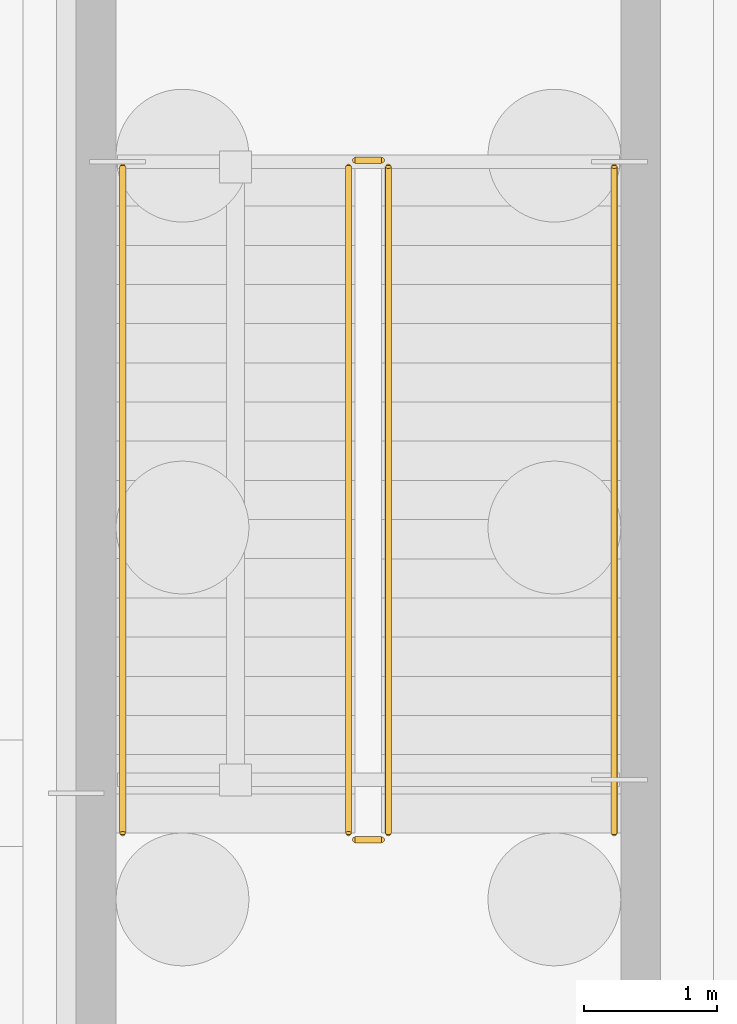
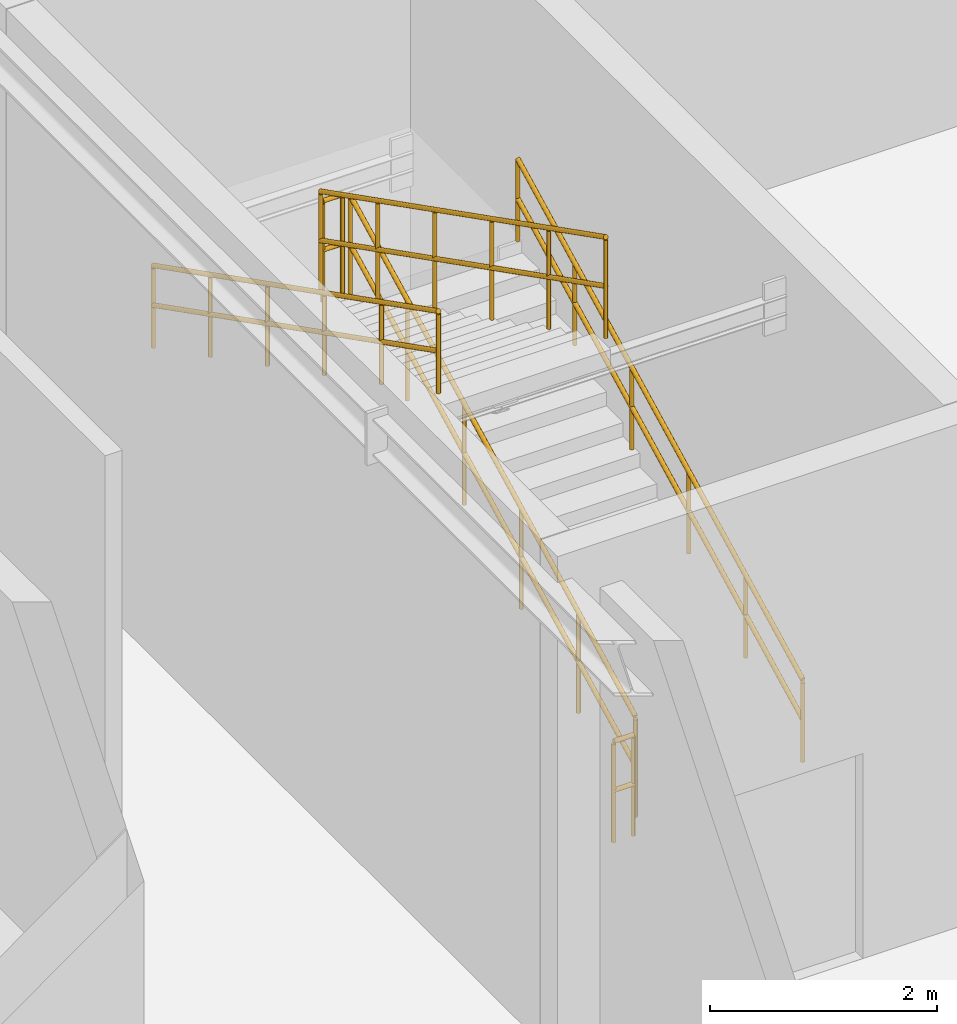
# One storey, part 67 of 71: 6 railings.
"""IFC4 building model written with IfcOpenShell, lengths in metres."""

from ifc_helpers import new_model, si_unit, direction, frame, origin, origin_2d, place, context, subcontext, project, spatial, circle, extrude, material, type_object, element, save


model = new_model("IFC4")

# Units and contexts
model_context = context("Model", 3, precision=1e-05, world=origin(), true_north=direction((0.0, 1.0)))
body_context = subcontext(model_context, "Body", "Model", "MODEL_VIEW")
ifc_project = project(units=[si_unit("LENGTHUNIT", "METRE"), si_unit("AREAUNIT", "SQUARE_METRE"), si_unit("VOLUMEUNIT", "CUBIC_METRE"), si_unit("PLANEANGLEUNIT", "RADIAN"), si_unit("MASSUNIT", "GRAM", prefix="KILO")], contexts=[model_context])

# Site, building, storey
site_placement = place(None, origin())
site = spatial("IfcSite", under=ifc_project, at=site_placement, CompositionType="ELEMENT")
building_placement = place(site_placement, origin())
building = spatial("IfcBuilding", under=site, at=building_placement, Name="Sundkrona Museum", CompositionType="ELEMENT")
storey_placement = place(building_placement, frame((0.0, 0.0, -5.39990234375)))
storey = spatial("IfcBuildingStorey", under=building, at=storey_placement, Name="B1", CompositionType="ELEMENT", Elevation=-5.39990234375)

# Railings
ifc_material_1 = material(Name="Painted Steel S355J2 and Laminated Glass Balustrade", Category="steel")
railing_type_1 = type_object("IfcRailingType", Name="RL-GUARD-1100", PredefinedType="BALUSTRADE", material=ifc_material_1)
railing_1_placement = place(storey_placement, frame((122.35009765625, 7.699951171875, 0.14990234375)))
element("IfcRailing", 1, at=railing_1_placement, inside=storey, type_object=railing_type_1, Name="B1 ST-2 stair guard 1", PredefinedType="BALUSTRADE", context=body_context, shape_type="SweptSolid", body=[
    extrude(circle(Radius=0.02392578125, at=origin_2d()), frame((0.0, 0.0, 1.076171875), z_axis=(0.0, 0.891386615937, 0.453243754428), x_axis=(-1.0, 0.0, 0.0)), (0.0, 0.0, 1.0), 5.626220703125),
    extrude(circle(Radius=0.02392578125, at=origin_2d()), frame((0.0, 0.0, 0.550048828125), z_axis=(0.0, 0.891386615937, 0.453243754428), x_axis=(-1.0, 0.0, 0.0)), (0.0, 0.0, 1.0), 5.626220703125),
    extrude(circle(Radius=0.02099609375, at=origin_2d()), origin(), (0.0, 0.0, 1.0), 1.052001953125),
    extrude(circle(Radius=0.02099609375, at=origin_2d()), frame((0.0, 1.0029296875, 0.510009765625)), (0.0, 0.0, 1.0), 1.052001953125),
    extrude(circle(Radius=0.02099609375, at=origin_2d()), frame((0.0, 2.006103515625, 1.02001953125)), (0.0, 0.0, 1.0), 1.052001953125),
    extrude(circle(Radius=0.02099609375, at=origin_2d()), frame((0.0, 3.009033203125, 1.530029296875)), (0.0, 0.0, 1.0), 1.052001953125),
    extrude(circle(Radius=0.02099609375, at=origin_2d()), frame((0.0, 4.01220703125, 2.0400390625)), (0.0, 0.0, 1.0), 1.052001953125),
    extrude(circle(Radius=0.02099609375, at=origin_2d()), frame((0.0, 5.01513671875, 2.550048828125)), (0.0, 0.0, 1.0), 1.052001953125),
])
railing_2_placement = place(storey_placement, frame((122.300048828125, 12.764892578125, 2.699951171875)))
element("IfcRailing", 2, at=railing_2_placement, inside=storey, type_object=railing_type_1, Name="B1 ST-2 stair guard 2", PredefinedType="BALUSTRADE", context=body_context, shape_type="SweptSolid", body=[
    extrude(circle(Radius=0.02392578125, at=origin_2d()), frame((0.0, 0.0, 1.076171875), z_axis=(-1.0, 0.0, 0.0), x_axis=(0.0, -1.0, 0.0)), (0.0, 0.0, 1.0), 0.199951171875),
    extrude(circle(Radius=0.02392578125, at=origin_2d()), frame((0.0, 0.0, 0.550048828125), z_axis=(-1.0, 0.0, 0.0), x_axis=(0.0, -1.0, 0.0)), (0.0, 0.0, 1.0), 0.199951171875),
    extrude(circle(Radius=0.02099609375, at=origin_2d()), origin(), (0.0, 0.0, 1.0), 1.052001953125),
    extrude(circle(Radius=0.02099609375, at=origin_2d()), frame((-0.199951171875, 0.0, 0.0)), (0.0, 0.0, 1.0), 1.052001953125),
])
railing_3_placement = place(storey_placement, frame((122.050048828125, 12.715087890625, 2.849853515625)))
element("IfcRailing", 3, at=railing_3_placement, inside=storey, type_object=railing_type_1, Name="B1 ST-2 stair guard 3", PredefinedType="BALUSTRADE", context=body_context, shape_type="SweptSolid", body=[
    extrude(circle(Radius=0.02392578125, at=origin_2d()), frame((0.0, 0.0, 1.076171875), z_axis=(0.0, -0.891386615937, 0.453243754428), x_axis=(1.0, 0.0, 0.0)), (0.0, 0.0, 1.0), 5.626220703125),
    extrude(circle(Radius=0.02392578125, at=origin_2d()), frame((0.0, 0.0, 0.550048828125), z_axis=(0.0, -0.891386615937, 0.453243754428), x_axis=(1.0, 0.0, 0.0)), (0.0, 0.0, 1.0), 5.626220703125),
    extrude(circle(Radius=0.02099609375, at=origin_2d()), origin(), (0.0, 0.0, 1.0), 1.052001953125),
    extrude(circle(Radius=0.02099609375, at=origin_2d()), frame((0.0, -1.0029296875, 0.510009765625)), (0.0, 0.0, 1.0), 1.052001953125),
    extrude(circle(Radius=0.02099609375, at=origin_2d()), frame((0.0, -2.006103515625, 1.02001953125)), (0.0, 0.0, 1.0), 1.052001953125),
    extrude(circle(Radius=0.02099609375, at=origin_2d()), frame((0.0, -3.009033203125, 1.530029296875)), (0.0, 0.0, 1.0), 1.052001953125),
    extrude(circle(Radius=0.02099609375, at=origin_2d()), frame((0.0, -4.01220703125, 2.0400390625)), (0.0, 0.0, 1.0), 1.052001953125),
    extrude(circle(Radius=0.02099609375, at=origin_2d()), frame((0.0, -5.01513671875, 2.550048828125)), (0.0, 0.0, 1.0), 1.052001953125),
])
railing_4_placement = place(storey_placement, frame((122.300048828125, 7.64990234375, 0.0)))
element("IfcRailing", 4, at=railing_4_placement, inside=storey, type_object=railing_type_1, Name="B1 ST-2 stair guard 4", PredefinedType="BALUSTRADE", context=body_context, shape_type="SweptSolid", body=[
    extrude(circle(Radius=0.02392578125, at=origin_2d()), frame((0.0, 0.0, 1.076171875), z_axis=(-1.0, 0.0, 0.0), x_axis=(0.0, -1.0, 0.0)), (0.0, 0.0, 1.0), 0.199951171875),
    extrude(circle(Radius=0.02392578125, at=origin_2d()), frame((0.0, 0.0, 0.550048828125), z_axis=(-1.0, 0.0, 0.0), x_axis=(0.0, -1.0, 0.0)), (0.0, 0.0, 1.0), 0.199951171875),
    extrude(circle(Radius=0.02099609375, at=origin_2d()), origin(), (0.0, 0.0, 1.0), 1.052001953125),
    extrude(circle(Radius=0.02099609375, at=origin_2d()), frame((-0.199951171875, 0.0, 0.0)), (0.0, 0.0, 1.0), 1.052001953125),
])
ifc_material_2 = material(Name="Brushed Bronze-Clad Steel Handrail", Category="steel")
railing_type_2 = type_object("IfcRailingType", Name="RL-HAND-900", PredefinedType="HANDRAIL", material=ifc_material_2)
railing_5_placement = place(storey_placement, frame((124.050048828125, 7.699951171875, 0.14990234375)))
element("IfcRailing", 5, at=railing_5_placement, inside=storey, type_object=railing_type_2, Name="B1 ST-2 stair handrail 1", PredefinedType="HANDRAIL", context=body_context, shape_type="SweptSolid", body=[
    extrude(circle(Radius=0.02392578125, at=origin_2d()), frame((0.0, 0.0, 0.8759765625), z_axis=(0.0, 0.891386615937, 0.453243754428), x_axis=(-1.0, 0.0, 0.0)), (0.0, 0.0, 1.0), 5.626220703125),
    extrude(circle(Radius=0.02392578125, at=origin_2d()), frame((0.0, 0.0, 0.449951171875), z_axis=(0.0, 0.891386615937, 0.453243754428), x_axis=(-1.0, 0.0, 0.0)), (0.0, 0.0, 1.0), 5.626220703125),
    extrude(circle(Radius=0.02099609375, at=origin_2d()), origin(), (0.0, 0.0, 1.0), 0.851806640625),
    extrude(circle(Radius=0.02099609375, at=origin_2d()), frame((0.0, 1.0029296875, 0.510009765625)), (0.0, 0.0, 1.0), 0.851806640625),
    extrude(circle(Radius=0.02099609375, at=origin_2d()), frame((0.0, 2.006103515625, 1.02001953125)), (0.0, 0.0, 1.0), 0.851806640625),
    extrude(circle(Radius=0.02099609375, at=origin_2d()), frame((0.0, 3.009033203125, 1.530029296875)), (0.0, 0.0, 1.0), 0.851806640625),
    extrude(circle(Radius=0.02099609375, at=origin_2d()), frame((0.0, 4.01220703125, 2.0400390625)), (0.0, 0.0, 1.0), 0.851806640625),
    extrude(circle(Radius=0.02099609375, at=origin_2d()), frame((0.0, 5.01513671875, 2.550048828125)), (0.0, 0.0, 1.0), 0.851806640625),
])
railing_6_placement = place(storey_placement, frame((120.35009765625, 12.715087890625, 2.849853515625)))
element("IfcRailing", 6, at=railing_6_placement, inside=storey, type_object=railing_type_2, Name="B1 ST-2 stair handrail 2", PredefinedType="HANDRAIL", context=body_context, shape_type="SweptSolid", body=[
    extrude(circle(Radius=0.02392578125, at=origin_2d()), frame((0.0, 0.0, 0.8759765625), z_axis=(0.0, -0.891386615937, 0.453243754428), x_axis=(1.0, 0.0, 0.0)), (0.0, 0.0, 1.0), 5.626220703125),
    extrude(circle(Radius=0.02392578125, at=origin_2d()), frame((0.0, 0.0, 0.449951171875), z_axis=(0.0, -0.891386615937, 0.453243754428), x_axis=(1.0, 0.0, 0.0)), (0.0, 0.0, 1.0), 5.626220703125),
    extrude(circle(Radius=0.02099609375, at=origin_2d()), origin(), (0.0, 0.0, 1.0), 0.851806640625),
    extrude(circle(Radius=0.02099609375, at=origin_2d()), frame((0.0, -1.0029296875, 0.510009765625)), (0.0, 0.0, 1.0), 0.851806640625),
    extrude(circle(Radius=0.02099609375, at=origin_2d()), frame((0.0, -2.006103515625, 1.02001953125)), (0.0, 0.0, 1.0), 0.851806640625),
    extrude(circle(Radius=0.02099609375, at=origin_2d()), frame((0.0, -3.009033203125, 1.530029296875)), (0.0, 0.0, 1.0), 0.851806640625),
    extrude(circle(Radius=0.02099609375, at=origin_2d()), frame((0.0, -4.01220703125, 2.0400390625)), (0.0, 0.0, 1.0), 0.851806640625),
    extrude(circle(Radius=0.02099609375, at=origin_2d()), frame((0.0, -5.01513671875, 2.550048828125)), (0.0, 0.0, 1.0), 0.851806640625),
])

save(model, "model.ifc")
